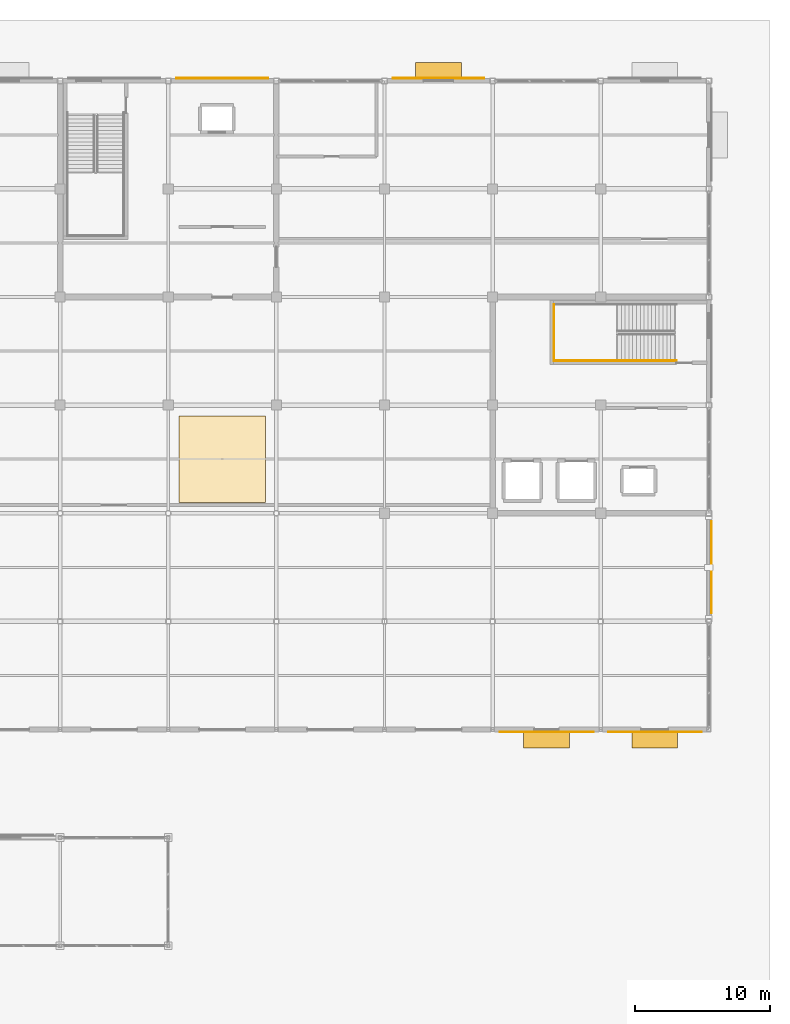
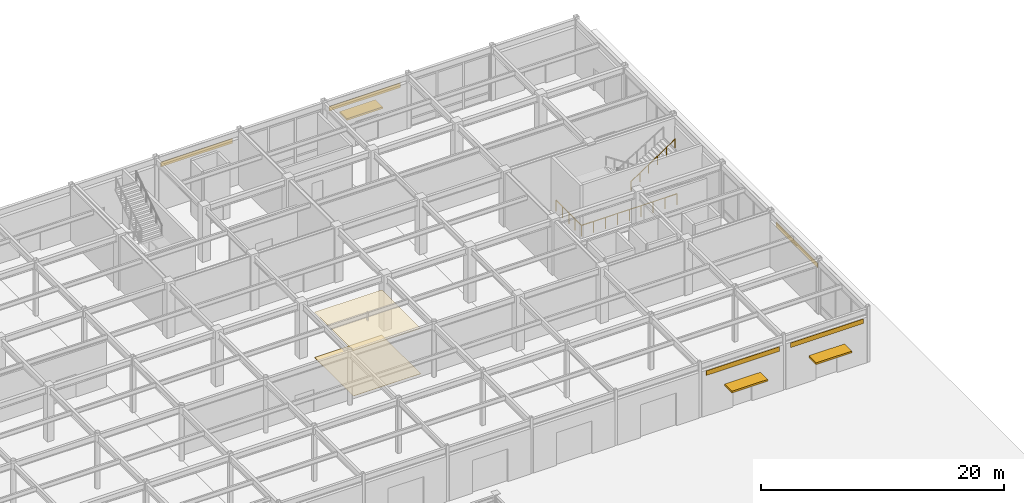
# One storey, part 126 of 128: 7 coverings, 3 railings, 3 shading devices.
"""IFC4 building model written with IfcOpenShell, lengths in metres."""

from ifc_helpers import new_model, si_unit, direction, frame, origin, origin_2d, place, context, subcontext, project, spatial, polyline, rectangle, circle, outline, extrude, material, layer, layer_set, type_object, element, save


model = new_model("IFC4")

# Units and contexts
model_context = context("Model", 3, precision=1e-05, world=origin(), true_north=direction((0.0, 1.0)))
body_context = subcontext(model_context, "Body", "Model", "MODEL_VIEW")
ifc_project = project(units=[si_unit("LENGTHUNIT", "METRE"), si_unit("AREAUNIT", "SQUARE_METRE"), si_unit("VOLUMEUNIT", "CUBIC_METRE"), si_unit("PLANEANGLEUNIT", "RADIAN"), si_unit("MASSUNIT", "GRAM", prefix="KILO")], contexts=[model_context])

# Site, building, storey
site_placement = place(None, origin())
site = spatial("IfcSite", under=ifc_project, at=site_placement, CompositionType="ELEMENT")
building_placement = place(site_placement, origin())
building = spatial("IfcBuilding", under=site, at=building_placement, Name="Solmirada Galleria", CompositionType="ELEMENT")
storey_placement = place(building_placement, origin())
storey = spatial("IfcBuildingStorey", under=building, at=storey_placement, Name="L00", CompositionType="ELEMENT", Elevation=0.0)

# Coverings
ifc_material_1 = material(Name="Perforated acoustic mineral-fibre ceiling")
ifc_layer_1 = layer(ifc_material_1, 0.02490234375)
ifc_layer_set_1 = layer_set([ifc_layer_1], Name="Perforated acoustic mineral-fibre ceiling")
covering_type_1 = type_object("IfcCoveringType", Name="COV-CEIL-ACOUST", PredefinedType="CEILING", material=ifc_layer_set_1)
covering_1_placement = place(storey_placement, frame((0.0, 0.0, 4.550048828125)))
element("IfcCovering", 1, at=covering_1_placement, inside=storey, type_object=covering_type_1, Name="Acoustic ceiling panel L00-3", PredefinedType="CEILING", context=body_context, shape_type="SweptSolid", body=[
    extrude(outline(polyline([(136.800048828125, 88.800048828125), (143.199951171875, 88.800048828125), (143.199951171875, 95.199951171875), (136.800048828125, 95.199951171875), (136.800048828125, 88.800048828125)])), origin(), (0.0, 0.0, 1.0), 0.02490234375),
])
ifc_material_2 = material(Name="Limestone cladding panels", Category="masonry")
ifc_layer_2 = layer(ifc_material_2, 0.044921875)
ifc_layer_set_2 = layer_set([ifc_layer_2], Name="Limestone cladding panels")
covering_type_2 = type_object("IfcCoveringType", Name="COV-CLAD-LIME", PredefinedType="CLADDING", material=ifc_layer_set_2)
for number, where, z_axis, x_axis, name in (
    (2, (140.0, 120.1923828125, 4.090087890625), (0.0, 0.0, 1.0), (1.0, 0.0, 0.0), "Postmodern facade cladding L00-019"),
    (3, (156.0, 120.1923828125, 4.090087890625), (0.0, 0.0, 1.0), (1.0, 0.0, 0.0), "Postmodern facade cladding L00-020"),
):
    element("IfcCovering", number, at=place(storey_placement, frame(where, z_axis=z_axis, x_axis=x_axis)), inside=storey, type_object=covering_type_2, Name=name, PredefinedType="CLADDING", context=body_context, shape_type="SweptSolid", body=[
        extrude(rectangle(XDim=6.7939453125, YDim=0.044921875, at=origin_2d()), origin(), (0.0, 0.0, 1.0), 0.4599609375),
    ])
covering_2_placement = place(storey_placement, frame((176.202392578125, 84.0, 4.090087890625), z_axis=(0.0, 0.0, 1.0), x_axis=(0.0, -1.0, 0.0)))
element("IfcCovering", 4, at=covering_2_placement, inside=storey, type_object=covering_type_2, Name="Postmodern facade cladding L00-024", PredefinedType="CLADDING", context=body_context, shape_type="SweptSolid", body=[
    extrude(rectangle(XDim=6.819091796875, YDim=0.044921875, at=origin_2d()), origin(), (0.0, 0.0, 1.0), 0.4599609375),
])
covering_3_placement = place(storey_placement, frame((172.0, 71.8076171875, 4.090087890625), z_axis=(0.0, 0.0, 1.0), x_axis=(-1.0, 0.0, 0.0)))
element("IfcCovering", 5, at=covering_3_placement, inside=storey, type_object=covering_type_2, Name="Postmodern facade cladding L00-025", PredefinedType="CLADDING", context=body_context, shape_type="SweptSolid", body=[
    extrude(rectangle(XDim=6.92041015625, YDim=0.044921875, at=origin_2d()), origin(), (0.0, 0.0, 1.0), 0.4599609375),
])
covering_4_placement = place(storey_placement, frame((164.0, 71.8076171875, 4.090087890625), z_axis=(0.0, 0.0, 1.0), x_axis=(-1.0, 0.0, 0.0)))
element("IfcCovering", 6, at=covering_4_placement, inside=storey, type_object=covering_type_2, Name="Postmodern facade cladding L00-026", PredefinedType="CLADDING", context=body_context, shape_type="SweptSolid", body=[
    extrude(rectangle(XDim=6.946044921875, YDim=0.044921875, at=origin_2d()), origin(), (0.0, 0.0, 1.0), 0.4599609375),
])
ifc_material_3 = material(Name="Polished terrazzo and porcelain tile flooring")
ifc_layer_3 = layer(ifc_material_3, 0.030029296875)
ifc_layer_set_3 = layer_set([ifc_layer_3], Name="Polished terrazzo and porcelain tile flooring")
covering_type_3 = type_object("IfcCoveringType", Name="COV-FLOOR-TERRAZ", PredefinedType="FLOORING", material=ifc_layer_set_3)
covering_5_placement = place(storey_placement, origin())
element("IfcCovering", 7, at=covering_5_placement, inside=storey, type_object=covering_type_3, Name="Terrazzo floor finish L00-3", PredefinedType="FLOORING", context=body_context, shape_type="SweptSolid", body=[
    extrude(outline(polyline([(136.800048828125, 88.800048828125), (143.199951171875, 88.800048828125), (143.199951171875, 95.199951171875), (136.800048828125, 95.199951171875), (136.800048828125, 88.800048828125)])), origin(), (0.0, 0.0, 1.0), 0.030029296875),
])

# Railings
ifc_material_4 = material(Name="Painted steel tubular railing", Category="steel")
railing_type_1 = type_object("IfcRailingType", Name="RAIL-STAIR-GUARD", PredefinedType="GUARDRAIL", material=ifc_material_4)
railing_1_placement = place(storey_placement, frame((173.6201171875, 99.2900390625, 0.0)))
element("IfcRailing", 8, at=railing_1_placement, inside=storey, type_object=railing_type_1, Name="Stair ST4 well edge guard L00-1", PredefinedType="GUARDRAIL", context=body_context, shape_type="SweptSolid", body=[
    extrude(circle(Radius=0.02392578125, at=origin_2d()), frame((0.0, 0.0, 1.09619140625), z_axis=(-1.0, 0.0, 0.0), x_axis=(0.0, -1.0, 0.0)), (0.0, 0.0, 1.0), 9.080078125),
    extrude(circle(Radius=0.02099609375, at=origin_2d()), origin(), (0.0, 0.0, 1.0), 1.068115234375),
    extrude(circle(Radius=0.02099609375, at=origin_2d()), frame((-1.135009765625, 0.0, 0.0)), (0.0, 0.0, 1.0), 1.068115234375),
    extrude(circle(Radius=0.02099609375, at=origin_2d()), frame((-2.27001953125, 0.0, 0.0)), (0.0, 0.0, 1.0), 1.068115234375),
    extrude(circle(Radius=0.02099609375, at=origin_2d()), frame((-3.405029296875, 0.0, 0.0)), (0.0, 0.0, 1.0), 1.068115234375),
    extrude(circle(Radius=0.02099609375, at=origin_2d()), frame((-4.5400390625, 0.0, 0.0)), (0.0, 0.0, 1.0), 1.068115234375),
    extrude(circle(Radius=0.02099609375, at=origin_2d()), frame((-5.675048828125, 0.0, 0.0)), (0.0, 0.0, 1.0), 1.068115234375),
    extrude(circle(Radius=0.02099609375, at=origin_2d()), frame((-6.81005859375, 0.0, 0.0)), (0.0, 0.0, 1.0), 1.068115234375),
    extrude(circle(Radius=0.02099609375, at=origin_2d()), frame((-7.945068359375, 0.0, 0.0)), (0.0, 0.0, 1.0), 1.068115234375),
    extrude(circle(Radius=0.02099609375, at=origin_2d()), frame((-9.080078125, 0.0, 0.0)), (0.0, 0.0, 1.0), 1.068115234375),
])
railing_2_placement = place(storey_placement, frame((164.5400390625, 99.2900390625, 0.0)))
element("IfcRailing", 9, at=railing_2_placement, inside=storey, type_object=railing_type_1, Name="Stair ST4 well edge guard L00-2", PredefinedType="GUARDRAIL", context=body_context, shape_type="SweptSolid", body=[
    extrude(circle(Radius=0.02392578125, at=origin_2d()), frame((0.0, 0.0, 1.09619140625), z_axis=(0.0, 1.0, 0.0), x_axis=(-1.0, 0.0, 0.0)), (0.0, 0.0, 1.0), 4.169921875),
    extrude(circle(Radius=0.02099609375, at=origin_2d()), origin(), (0.0, 0.0, 1.0), 1.068115234375),
    extrude(circle(Radius=0.02099609375, at=origin_2d()), frame((0.0, 1.04248046875, 0.0)), (0.0, 0.0, 1.0), 1.068115234375),
    extrude(circle(Radius=0.02099609375, at=origin_2d()), frame((0.0, 2.0849609375, 0.0)), (0.0, 0.0, 1.0), 1.068115234375),
    extrude(circle(Radius=0.02099609375, at=origin_2d()), frame((0.0, 3.12744140625, 0.0)), (0.0, 0.0, 1.0), 1.068115234375),
    extrude(circle(Radius=0.02099609375, at=origin_2d()), frame((0.0, 4.169921875, 0.0)), (0.0, 0.0, 1.0), 1.068115234375),
])
railing_type_2 = type_object("IfcRailingType", Name="RAIL-STAIR-HAND", PredefinedType="HANDRAIL", material=ifc_material_4)
railing_3_placement = place(storey_placement, frame((169.25, 99.300048828125, 2.97509765625)))
element("IfcRailing", 10, at=railing_3_placement, inside=storey, type_object=railing_type_2, Name="L00 ST4 stair handrail 2", PredefinedType="HANDRAIL", context=body_context, shape_type="SweptSolid", body=[
    extrude(circle(Radius=0.02392578125, at=origin_2d()), frame((0.0, 0.0, 0.8759765625), z_axis=(0.83206517633, 0.0, 0.554677872589), x_axis=(0.0, 1.0, 0.0)), (0.0, 0.0, 1.0), 5.047607421875),
    extrude(circle(Radius=0.02099609375, at=origin_2d()), origin(), (0.0, 0.0, 1.0), 0.847900390625),
    extrude(circle(Radius=0.02099609375, at=origin_2d()), frame((0.840087890625, 0.0, 0.56005859375)), (0.0, 0.0, 1.0), 0.847900390625),
    extrude(circle(Radius=0.02099609375, at=origin_2d()), frame((1.679931640625, 0.0, 1.119873046875)), (0.0, 0.0, 1.0), 0.847900390625),
    extrude(circle(Radius=0.02099609375, at=origin_2d()), frame((2.52001953125, 0.0, 1.679931640625)), (0.0, 0.0, 1.0), 0.847900390625),
    extrude(circle(Radius=0.02099609375, at=origin_2d()), frame((3.35986328125, 0.0, 2.23974609375)), (0.0, 0.0, 1.0), 0.847900390625),
    extrude(circle(Radius=0.02099609375, at=origin_2d()), frame((4.199951171875, 0.0, 2.7998046875)), (0.0, 0.0, 1.0), 0.847900390625),
])

# Shading devices
ifc_material_5 = material(Name="Extruded aluminium storm louvres", Category="aluminium")
shading_device_type = type_object("IfcShadingDeviceType", Name="SHD-AWNING", PredefinedType="AWNING", material=ifc_material_5)
for number, where, z_axis, x_axis, name in (
    (11, (156.0, 120.77001953125, 2.56005859375), (0.0, 0.0, 1.0), (1.0, 0.0, 0.0), "Storm entrance awning canopy 010"),
    (12, (172.0, 71.22998046875, 2.4599609375), (0.0, 0.0, 1.0), (-1.0, 0.0, 0.0), "Storm entrance awning canopy 013"),
    (13, (164.0, 71.22998046875, 2.41015625), (0.0, 0.0, 1.0), (-1.0, 0.0, 0.0), "Storm entrance awning canopy 014"),
):
    element("IfcShadingDevice", number, at=place(storey_placement, frame(where, z_axis=z_axis, x_axis=x_axis)), inside=storey, type_object=shading_device_type, Name=name, PredefinedType="AWNING", context=body_context, shape_type="SweptSolid", body=[
        extrude(rectangle(XDim=3.39990234375, YDim=1.199951171875, at=origin_2d()), origin(), (0.0, 0.0, 1.0), 0.179931640625),
    ])

save(model, "model.ifc")
